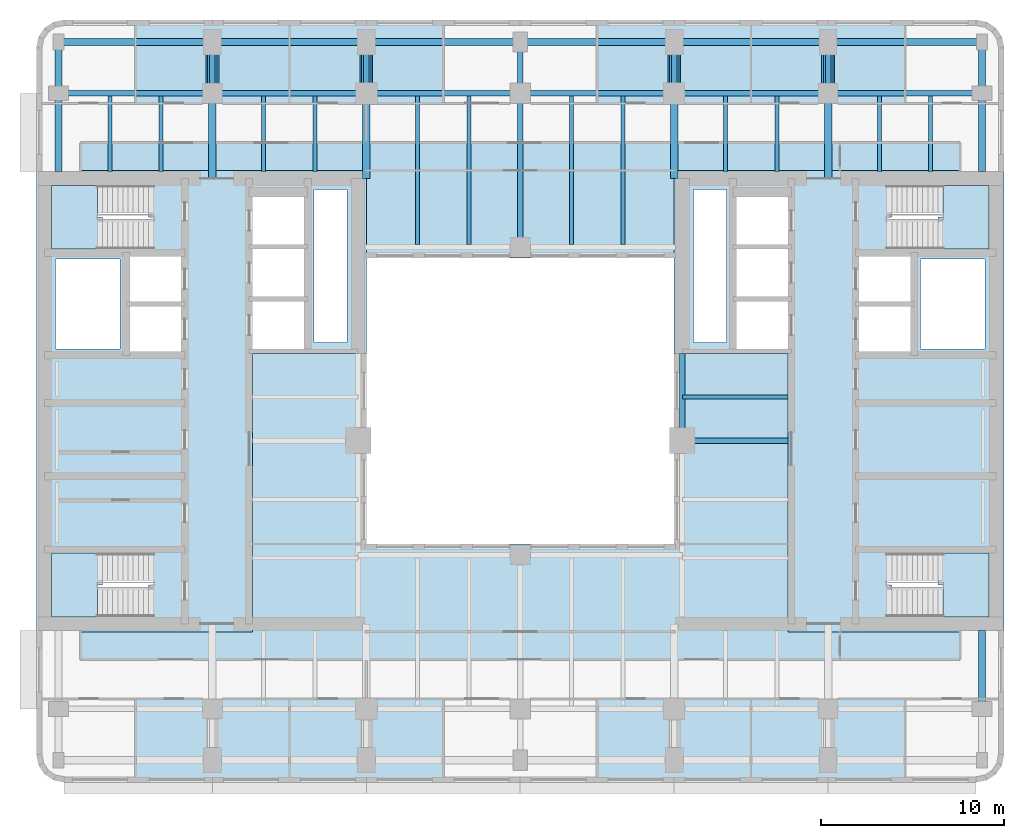
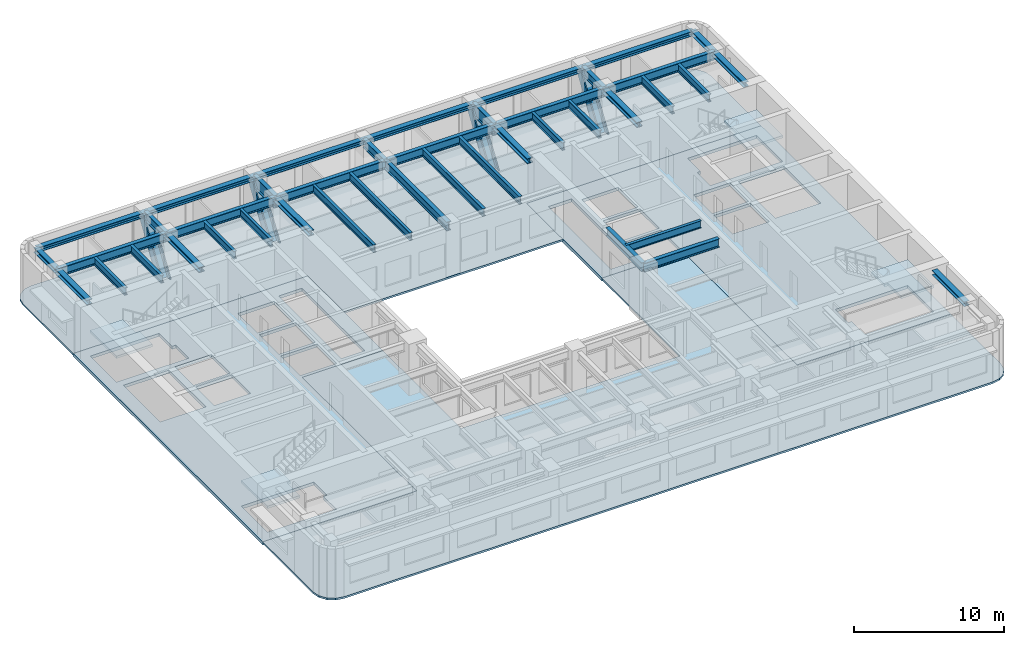
# One storey, part 2 of 11: 42 beams, 8 slabs, 4 members, 4 elements without a shape of their own.
"""IFC4 building model written with IfcOpenShell, lengths in metres."""

from ifc_helpers import new_model, si_unit, direction, frame, origin, origin_2d, place, context, subcontext, project, spatial, polyline, i_section, outline, extrude, material, layer, layer_set, material_profile, profile_set, type_object, element, aggregate, save


model = new_model("IFC4")

# Units and contexts
model_context = context("Model", 3, precision=1e-05, world=origin(), true_north=direction((0.0, 1.0)))
body_context = subcontext(model_context, "Body", "Model", "MODEL_VIEW")
ifc_project = project(units=[si_unit("LENGTHUNIT", "METRE"), si_unit("AREAUNIT", "SQUARE_METRE"), si_unit("VOLUMEUNIT", "CUBIC_METRE"), si_unit("PLANEANGLEUNIT", "RADIAN"), si_unit("MASSUNIT", "GRAM", prefix="KILO")], contexts=[model_context])

# Site, building, storey
site_placement = place(None, origin())
site = spatial("IfcSite", under=ifc_project, at=site_placement, CompositionType="ELEMENT")
building_placement = place(site_placement, origin())
building = spatial("IfcBuilding", under=site, at=building_placement, Name="Claustro Exchange Tower", CompositionType="ELEMENT")
storey_placement = place(building_placement, frame((0.0, 0.0, 240.60009765625)))
storey = spatial("IfcBuildingStorey", under=building, at=storey_placement, Name="L55", CompositionType="ELEMENT", Elevation=240.60009765625)

# Beams
ifc_material_1 = material(Name="Steel S355", Category="steel")
ifc_material_profile_1 = material_profile(ifc_material_1, i_section(OverallWidth=0.302001953125, OverallDepth=1.008056640625, WebThickness=0.02099609375, FlangeThickness=0.0400390625, FilletRadius=0.030029296875, at=origin_2d()), Name="HE 1000 M")
ifc_profile_set_1 = profile_set([ifc_material_profile_1], Name="Steel S355")
beam_type_1 = type_object("IfcBeamType", Name="B27 HE 1000 M plant floor girder by the setback", PredefinedType="BEAM", material=ifc_profile_set_1)
for number, where, z_axis, x_axis, name in (
    (1, (16.800048828125, 42.0, 3.495849609375), (0.0, 1.0, 0.0), (-1.0, 0.0, 0.0), "Beam B27 L56"),
    (2, (33.60009765625, 42.0, 3.495849609375), (0.0, 1.0, 0.0), (-1.0, 0.0, 0.0), "Beam B27 L56"),
):
    element("IfcBeam", number, at=place(storey_placement, frame(where, z_axis=z_axis, x_axis=x_axis)), inside=storey, type_object=beam_type_1, Name=name, PredefinedType="BEAM", context=body_context, shape_type="SweptSolid", body=[
        extrude(i_section(OverallWidth=0.302001953125, OverallDepth=1.008056640625, WebThickness=0.02099609375, FlangeThickness=0.0400390625, FilletRadius=0.030029296875, at=origin_2d()), origin(), (0.0, 0.0, 1.0), 2.800048828125),
    ])
ifc_material_2 = material(Name="Steel S355", Category="steel")
ifc_material_profile_2 = material_profile(ifc_material_2, i_section(OverallWidth=0.300048828125, OverallDepth=0.699951171875, WebThickness=0.01708984375, FlangeThickness=0.031982421875, FilletRadius=0.027099609375, at=origin_2d()), Name="HE 700 B")
ifc_profile_set_2 = profile_set([ifc_material_profile_2], Name="Steel S355")
beam_type_2 = type_object("IfcBeamType", Name="B4 HE 700 B floor girder", PredefinedType="BEAM", material=ifc_profile_set_2)
beam_1_placement = place(storey_placement, frame((8.39990234375, 42.0, 3.64990234375), z_axis=(0.0, 1.0, 0.0), x_axis=(-1.0, 0.0, 0.0)))
element("IfcBeam", 3, at=beam_1_placement, inside=storey, type_object=beam_type_2, Name="Beam B4 L56", PredefinedType="BEAM", context=body_context, shape_type="SweptSolid", body=[
    extrude(i_section(OverallWidth=0.300048828125, OverallDepth=0.699951171875, WebThickness=0.01708984375, FlangeThickness=0.031982421875, FilletRadius=0.027099609375, at=origin_2d()), origin(), (0.0, 0.0, 1.0), 2.800048828125),
])
beam_2_placement = place(storey_placement, frame((25.199951171875, 33.60009765625, 3.64990234375), z_axis=(0.0, 1.0, 0.0), x_axis=(-1.0, 0.0, 0.0)))
element("IfcBeam", 4, at=beam_2_placement, inside=storey, type_object=beam_type_2, Name="Beam B4 L56", PredefinedType="BEAM", context=body_context, shape_type="SweptSolid", body=[
    extrude(i_section(OverallWidth=0.300048828125, OverallDepth=0.699951171875, WebThickness=0.01708984375, FlangeThickness=0.031982421875, FilletRadius=0.027099609375, at=origin_2d()), origin(), (0.0, 0.0, 1.0), 8.39990234375),
])
for number, where, z_axis, x_axis, name in (
    (5, (25.199951171875, 42.0, 3.64990234375), (0.0, 1.0, 0.0), (-1.0, 0.0, 0.0), "Beam B4 L56"),
    (6, (42.0, 42.0, 3.64990234375), (0.0, 1.0, 0.0), (-1.0, 0.0, 0.0), "Beam B4 L56"),
):
    element("IfcBeam", number, at=place(storey_placement, frame(where, z_axis=z_axis, x_axis=x_axis)), inside=storey, type_object=beam_type_2, Name=name, PredefinedType="BEAM", context=body_context, shape_type="SweptSolid", body=[
        extrude(i_section(OverallWidth=0.300048828125, OverallDepth=0.699951171875, WebThickness=0.01708984375, FlangeThickness=0.031982421875, FilletRadius=0.027099609375, at=origin_2d()), origin(), (0.0, 0.0, 1.0), 2.800048828125),
    ])
beam_3_placement = place(storey_placement, frame((0.0, 42.0, 3.64990234375), z_axis=(1.0, 0.0, 0.0), x_axis=(0.0, 1.0, 0.0)))
element("IfcBeam", 7, at=beam_3_placement, inside=storey, type_object=beam_type_2, Name="Beam B4 L56", PredefinedType="BEAM", context=body_context, shape_type="SweptSolid", body=[
    extrude(i_section(OverallWidth=0.300048828125, OverallDepth=0.699951171875, WebThickness=0.01708984375, FlangeThickness=0.031982421875, FilletRadius=0.027099609375, at=origin_2d()), origin(), (0.0, 0.0, 1.0), 8.39990234375),
])
beam_4_placement = place(storey_placement, frame((8.39990234375, 42.0, 3.64990234375), z_axis=(1.0, 0.0, 0.0), x_axis=(0.0, 1.0, 0.0)))
element("IfcBeam", 8, at=beam_4_placement, inside=storey, type_object=beam_type_2, Name="Beam B4 L56", PredefinedType="BEAM", context=body_context, shape_type="SweptSolid", body=[
    extrude(i_section(OverallWidth=0.300048828125, OverallDepth=0.699951171875, WebThickness=0.01708984375, FlangeThickness=0.031982421875, FilletRadius=0.027099609375, at=origin_2d()), origin(), (0.0, 0.0, 1.0), 8.400146484375),
])
beam_5_placement = place(storey_placement, frame((16.800048828125, 42.0, 3.64990234375), z_axis=(1.0, 0.0, 0.0), x_axis=(0.0, 1.0, 0.0)))
element("IfcBeam", 9, at=beam_5_placement, inside=storey, type_object=beam_type_2, Name="Beam B4 L56", PredefinedType="BEAM", context=body_context, shape_type="SweptSolid", body=[
    extrude(i_section(OverallWidth=0.300048828125, OverallDepth=0.699951171875, WebThickness=0.01708984375, FlangeThickness=0.031982421875, FilletRadius=0.027099609375, at=origin_2d()), origin(), (0.0, 0.0, 1.0), 8.39990234375),
])
beam_6_placement = place(storey_placement, frame((25.199951171875, 42.0, 3.64990234375), z_axis=(1.0, 0.0, 0.0), x_axis=(0.0, 1.0, 0.0)))
element("IfcBeam", 10, at=beam_6_placement, inside=storey, type_object=beam_type_2, Name="Beam B4 L56", PredefinedType="BEAM", context=body_context, shape_type="SweptSolid", body=[
    extrude(i_section(OverallWidth=0.300048828125, OverallDepth=0.699951171875, WebThickness=0.01708984375, FlangeThickness=0.031982421875, FilletRadius=0.027099609375, at=origin_2d()), origin(), (0.0, 0.0, 1.0), 8.400146484375),
])
for number, where, z_axis, x_axis, name in (
    (11, (33.60009765625, 42.0, 3.64990234375), (1.0, 0.0, 0.0), (0.0, 1.0, 0.0), "Beam B4 L56"),
    (12, (42.0, 42.0, 3.64990234375), (1.0, 0.0, 0.0), (0.0, 1.0, 0.0), "Beam B4 L56"),
):
    element("IfcBeam", number, at=place(storey_placement, frame(where, z_axis=z_axis, x_axis=x_axis)), inside=storey, type_object=beam_type_2, Name=name, PredefinedType="BEAM", context=body_context, shape_type="SweptSolid", body=[
        extrude(i_section(OverallWidth=0.300048828125, OverallDepth=0.699951171875, WebThickness=0.01708984375, FlangeThickness=0.031982421875, FilletRadius=0.027099609375, at=origin_2d()), origin(), (0.0, 0.0, 1.0), 8.39990234375),
    ])
beam_7_placement = place(storey_placement, frame((34.050048828125, 23.050048828125, 3.64990234375), z_axis=(1.0, 0.0, 0.0), x_axis=(0.0, 1.0, 0.0)))
element("IfcBeam", 13, at=beam_7_placement, inside=storey, type_object=beam_type_2, Name="Beam B4 core step framing L56", PredefinedType="BEAM", context=body_context, shape_type="SweptSolid", body=[
    extrude(i_section(OverallWidth=0.300048828125, OverallDepth=0.699951171875, WebThickness=0.01708984375, FlangeThickness=0.031982421875, FilletRadius=0.027099609375, at=origin_2d()), origin(), (0.0, 0.0, 1.0), 5.75),
])
beam_8_placement = place(storey_placement, frame((34.050048828125, 23.050048828125, 3.64990234375), z_axis=(0.0, 1.0, 0.0), x_axis=(-1.0, 0.0, 0.0)))
element("IfcBeam", 14, at=beam_8_placement, inside=storey, type_object=beam_type_2, Name="Beam B4 core step framing L56", PredefinedType="BEAM", context=body_context, shape_type="SweptSolid", body=[
    extrude(i_section(OverallWidth=0.300048828125, OverallDepth=0.699951171875, WebThickness=0.01708984375, FlangeThickness=0.031982421875, FilletRadius=0.027099609375, at=origin_2d()), origin(), (0.0, 0.0, 1.0), 4.75),
])
ifc_material_3 = material(Name="Steel S355", Category="steel")
ifc_material_profile_3 = material_profile(ifc_material_3, i_section(OverallWidth=0.219970703125, OverallDepth=0.60009765625, WebThickness=0.011962890625, FlangeThickness=0.01904296875, FilletRadius=0.02392578125, at=origin_2d()), Name="IPE 600")
ifc_profile_set_3 = profile_set([ifc_material_profile_3], Name="Steel S355")
beam_type_3 = type_object("IfcBeamType", Name="B5 IPE 600 secondary beam", PredefinedType="BEAM", material=ifc_profile_set_3)
for number, where, z_axis, x_axis, name in (
    (15, (2.800048828125, 37.72509765625, 3.699951171875), (0.0, 1.0, 0.0), (-1.0, 0.0, 0.0), "Beam B5 L56"),
    (16, (5.60009765625, 37.72509765625, 3.699951171875), (0.0, 1.0, 0.0), (-1.0, 0.0, 0.0), "Beam B5 L56"),
    (17, (11.199951171875, 37.72509765625, 3.699951171875), (0.0, 1.0, 0.0), (-1.0, 0.0, 0.0), "Beam B5 L56"),
    (18, (14.0, 37.72509765625, 3.699951171875), (0.0, 1.0, 0.0), (-1.0, 0.0, 0.0), "Beam B5 L56"),
):
    element("IfcBeam", number, at=place(storey_placement, frame(where, z_axis=z_axis, x_axis=x_axis)), inside=storey, type_object=beam_type_3, Name=name, PredefinedType="BEAM", context=body_context, shape_type="SweptSolid", body=[
        extrude(i_section(OverallWidth=0.219970703125, OverallDepth=0.60009765625, WebThickness=0.011962890625, FlangeThickness=0.01904296875, FilletRadius=0.02392578125, at=origin_2d()), origin(), (0.0, 0.0, 1.0), 4.125),
    ])
for number, where, z_axis, x_axis, name in (
    (19, (19.60009765625, 33.75, 3.699951171875), (0.0, 1.0, 0.0), (-1.0, 0.0, 0.0), "Beam B5 L56"),
    (20, (22.39990234375, 33.75, 3.699951171875), (0.0, 1.0, 0.0), (-1.0, 0.0, 0.0), "Beam B5 L56"),
    (21, (28.0, 33.75, 3.699951171875), (0.0, 1.0, 0.0), (-1.0, 0.0, 0.0), "Beam B5 L56"),
    (22, (30.800048828125, 33.75, 3.699951171875), (0.0, 1.0, 0.0), (-1.0, 0.0, 0.0), "Beam B5 L56"),
):
    element("IfcBeam", number, at=place(storey_placement, frame(where, z_axis=z_axis, x_axis=x_axis)), inside=storey, type_object=beam_type_3, Name=name, PredefinedType="BEAM", context=body_context, shape_type="SweptSolid", body=[
        extrude(i_section(OverallWidth=0.219970703125, OverallDepth=0.60009765625, WebThickness=0.011962890625, FlangeThickness=0.01904296875, FilletRadius=0.02392578125, at=origin_2d()), origin(), (0.0, 0.0, 1.0), 8.10009765625),
    ])
for number, where, z_axis, x_axis, name in (
    (23, (36.39990234375, 37.72509765625, 3.699951171875), (0.0, 1.0, 0.0), (-1.0, 0.0, 0.0), "Beam B5 L56"),
    (24, (39.199951171875, 37.72509765625, 3.699951171875), (0.0, 1.0, 0.0), (-1.0, 0.0, 0.0), "Beam B5 L56"),
    (25, (44.800048828125, 37.72509765625, 3.699951171875), (0.0, 1.0, 0.0), (-1.0, 0.0, 0.0), "Beam B5 L56"),
    (26, (47.60009765625, 37.72509765625, 3.699951171875), (0.0, 1.0, 0.0), (-1.0, 0.0, 0.0), "Beam B5 L56"),
):
    element("IfcBeam", number, at=place(storey_placement, frame(where, z_axis=z_axis, x_axis=x_axis)), inside=storey, type_object=beam_type_3, Name=name, PredefinedType="BEAM", context=body_context, shape_type="SweptSolid", body=[
        extrude(i_section(OverallWidth=0.219970703125, OverallDepth=0.60009765625, WebThickness=0.011962890625, FlangeThickness=0.01904296875, FilletRadius=0.02392578125, at=origin_2d()), origin(), (0.0, 0.0, 1.0), 4.125),
    ])
beam_9_placement = place(storey_placement, frame((34.050048828125, 25.425048828125, 3.699951171875), z_axis=(1.0, 0.0, 0.0), x_axis=(0.0, 1.0, 0.0)))
element("IfcBeam", 27, at=beam_9_placement, inside=storey, type_object=beam_type_3, Name="Beam B5 core step framing L56", PredefinedType="BEAM", context=body_context, shape_type="SweptSolid", body=[
    extrude(i_section(OverallWidth=0.219970703125, OverallDepth=0.60009765625, WebThickness=0.011962890625, FlangeThickness=0.01904296875, FilletRadius=0.02392578125, at=origin_2d()), origin(), (0.0, 0.0, 1.0), 5.75),
])
ifc_material_4 = material(Name="Steel S460", Category="steel")
ifc_material_profile_4 = material_profile(ifc_material_4, i_section(OverallWidth=0.39501953125, OverallDepth=0.3798828125, WebThickness=0.018798828125, FlangeThickness=0.0302734375, FilletRadius=0.014892578125, at=origin_2d()), Name="HD 400x237")
ifc_profile_set_4 = profile_set([ifc_material_profile_4], Name="Steel S460")
beam_type_4 = type_object("IfcBeamType", Name="BT5 HD 400x237 belt truss chord", PredefinedType="BEAM", material=ifc_profile_set_4)
beam_10_placement = place(storey_placement, frame((0.0, 37.72509765625, 3.809814453125), z_axis=(0.0, 1.0, 0.0), x_axis=(-1.0, 0.0, 0.0)))
element("IfcBeam", 28, at=beam_10_placement, inside=storey, type_object=beam_type_4, Name="Beam BT5 L56", PredefinedType="BEAM", context=body_context, shape_type="SweptSolid", body=[
    extrude(i_section(OverallWidth=0.39501953125, OverallDepth=0.3798828125, WebThickness=0.018798828125, FlangeThickness=0.0302734375, FilletRadius=0.014892578125, at=origin_2d()), origin(), (0.0, 0.0, 1.0), 4.27490234375),
])
beam_11_placement = place(storey_placement, frame((0.0, 42.0, 3.809814453125), z_axis=(0.0, 1.0, 0.0), x_axis=(-1.0, 0.0, 0.0)))
element("IfcBeam", 29, at=beam_11_placement, inside=storey, type_object=beam_type_4, Name="Beam BT5 L56", PredefinedType="BEAM", context=body_context, shape_type="SweptSolid", body=[
    extrude(i_section(OverallWidth=0.39501953125, OverallDepth=0.3798828125, WebThickness=0.018798828125, FlangeThickness=0.0302734375, FilletRadius=0.014892578125, at=origin_2d()), origin(), (0.0, 0.0, 1.0), 2.800048828125),
])
beam_12_placement = place(storey_placement, frame((50.39990234375, 8.39990234375, 3.809814453125), z_axis=(0.0, 1.0, 0.0), x_axis=(-1.0, 0.0, 0.0)))
element("IfcBeam", 30, at=beam_12_placement, inside=storey, type_object=beam_type_4, Name="Beam BT5 L56", PredefinedType="BEAM", context=body_context, shape_type="SweptSolid", body=[
    extrude(i_section(OverallWidth=0.39501953125, OverallDepth=0.3798828125, WebThickness=0.018798828125, FlangeThickness=0.0302734375, FilletRadius=0.014892578125, at=origin_2d()), origin(), (0.0, 0.0, 1.0), 4.275146484375),
])
beam_13_placement = place(storey_placement, frame((50.39990234375, 37.72509765625, 3.809814453125), z_axis=(0.0, 1.0, 0.0), x_axis=(-1.0, 0.0, 0.0)))
element("IfcBeam", 31, at=beam_13_placement, inside=storey, type_object=beam_type_4, Name="Beam BT5 L56", PredefinedType="BEAM", context=body_context, shape_type="SweptSolid", body=[
    extrude(i_section(OverallWidth=0.39501953125, OverallDepth=0.3798828125, WebThickness=0.018798828125, FlangeThickness=0.0302734375, FilletRadius=0.014892578125, at=origin_2d()), origin(), (0.0, 0.0, 1.0), 4.27490234375),
])
beam_14_placement = place(storey_placement, frame((50.39990234375, 42.0, 3.809814453125), z_axis=(0.0, 1.0, 0.0), x_axis=(-1.0, 0.0, 0.0)))
element("IfcBeam", 32, at=beam_14_placement, inside=storey, type_object=beam_type_4, Name="Beam BT5 L56", PredefinedType="BEAM", context=body_context, shape_type="SweptSolid", body=[
    extrude(i_section(OverallWidth=0.39501953125, OverallDepth=0.3798828125, WebThickness=0.018798828125, FlangeThickness=0.0302734375, FilletRadius=0.014892578125, at=origin_2d()), origin(), (0.0, 0.0, 1.0), 2.800048828125),
])
beam_15_placement = place(storey_placement, frame((0.0, 44.800048828125, 3.809814453125), z_axis=(1.0, 0.0, 0.0), x_axis=(0.0, 1.0, 0.0)))
element("IfcBeam", 33, at=beam_15_placement, inside=storey, type_object=beam_type_4, Name="Beam BT5 L56", PredefinedType="BEAM", context=body_context, shape_type="SweptSolid", body=[
    extrude(i_section(OverallWidth=0.39501953125, OverallDepth=0.3798828125, WebThickness=0.018798828125, FlangeThickness=0.0302734375, FilletRadius=0.014892578125, at=origin_2d()), origin(), (0.0, 0.0, 1.0), 8.39990234375),
])
beam_16_placement = place(storey_placement, frame((8.39990234375, 44.800048828125, 3.809814453125), z_axis=(1.0, 0.0, 0.0), x_axis=(0.0, 1.0, 0.0)))
element("IfcBeam", 34, at=beam_16_placement, inside=storey, type_object=beam_type_4, Name="Beam BT5 L56", PredefinedType="BEAM", context=body_context, shape_type="SweptSolid", body=[
    extrude(i_section(OverallWidth=0.39501953125, OverallDepth=0.3798828125, WebThickness=0.018798828125, FlangeThickness=0.0302734375, FilletRadius=0.014892578125, at=origin_2d()), origin(), (0.0, 0.0, 1.0), 8.400146484375),
])
beam_17_placement = place(storey_placement, frame((16.800048828125, 44.800048828125, 3.809814453125), z_axis=(1.0, 0.0, 0.0), x_axis=(0.0, 1.0, 0.0)))
element("IfcBeam", 35, at=beam_17_placement, inside=storey, type_object=beam_type_4, Name="Beam BT5 L56", PredefinedType="BEAM", context=body_context, shape_type="SweptSolid", body=[
    extrude(i_section(OverallWidth=0.39501953125, OverallDepth=0.3798828125, WebThickness=0.018798828125, FlangeThickness=0.0302734375, FilletRadius=0.014892578125, at=origin_2d()), origin(), (0.0, 0.0, 1.0), 8.39990234375),
])
beam_18_placement = place(storey_placement, frame((25.199951171875, 44.800048828125, 3.809814453125), z_axis=(1.0, 0.0, 0.0), x_axis=(0.0, 1.0, 0.0)))
element("IfcBeam", 36, at=beam_18_placement, inside=storey, type_object=beam_type_4, Name="Beam BT5 L56", PredefinedType="BEAM", context=body_context, shape_type="SweptSolid", body=[
    extrude(i_section(OverallWidth=0.39501953125, OverallDepth=0.3798828125, WebThickness=0.018798828125, FlangeThickness=0.0302734375, FilletRadius=0.014892578125, at=origin_2d()), origin(), (0.0, 0.0, 1.0), 8.400146484375),
])
for number, where, z_axis, x_axis, name in (
    (37, (33.60009765625, 44.800048828125, 3.809814453125), (1.0, 0.0, 0.0), (0.0, 1.0, 0.0), "Beam BT5 L56"),
    (38, (42.0, 44.800048828125, 3.809814453125), (1.0, 0.0, 0.0), (0.0, 1.0, 0.0), "Beam BT5 L56"),
):
    element("IfcBeam", number, at=place(storey_placement, frame(where, z_axis=z_axis, x_axis=x_axis)), inside=storey, type_object=beam_type_4, Name=name, PredefinedType="BEAM", context=body_context, shape_type="SweptSolid", body=[
        extrude(i_section(OverallWidth=0.39501953125, OverallDepth=0.3798828125, WebThickness=0.018798828125, FlangeThickness=0.0302734375, FilletRadius=0.014892578125, at=origin_2d()), origin(), (0.0, 0.0, 1.0), 8.39990234375),
    ])
ifc_material_5 = material(Name="Steel S460", Category="steel")
ifc_material_profile_5 = material_profile(ifc_material_5, i_section(OverallWidth=0.404052734375, OverallDepth=0.406982421875, WebThickness=0.027099609375, FlangeThickness=0.043701171875, FilletRadius=0.014892578125, at=origin_2d()), Name="HD 400x347")
ifc_profile_set_5 = profile_set([ifc_material_profile_5], Name="Steel S460")
beam_type_5 = type_object("IfcBeamType", Name="OT5 HD 400x347 OUTRIGGER truss chord", PredefinedType="BEAM", material=ifc_profile_set_5)
for number, where, z_axis, x_axis, name in (
    (39, (8.39990234375, 37.35009765625, 3.746337890625), (0.0, 1.0, 0.0), (-1.0, 0.0, 0.0), "Beam OT5 L56"),
    (40, (16.800048828125, 37.35009765625, 3.746337890625), (0.0, 1.0, 0.0), (-1.0, 0.0, 0.0), "Beam OT5 L56"),
    (41, (33.60009765625, 37.35009765625, 3.746337890625), (0.0, 1.0, 0.0), (-1.0, 0.0, 0.0), "Beam OT5 L56"),
    (42, (42.0, 37.35009765625, 3.746337890625), (0.0, 1.0, 0.0), (-1.0, 0.0, 0.0), "Beam OT5 L56"),
):
    element("IfcBeam", number, at=place(storey_placement, frame(where, z_axis=z_axis, x_axis=x_axis)), inside=storey, type_object=beam_type_5, Name=name, PredefinedType="BEAM", context=body_context, shape_type="SweptSolid", body=[
        extrude(i_section(OverallWidth=0.404052734375, OverallDepth=0.406982421875, WebThickness=0.027099609375, FlangeThickness=0.043701171875, FilletRadius=0.014892578125, at=origin_2d()), origin(), (0.0, 0.0, 1.0), 4.64990234375),
    ])

# Members
ifc_material_6 = material(Name="Steel S460", Category="steel")
ifc_material_profile_6 = material_profile(ifc_material_6, i_section(OverallWidth=0.64990234375, OverallDepth=0.699951171875, WebThickness=0.050048828125, FlangeThickness=0.090087890625, at=origin_2d()), Name="PG 700x650")
ifc_profile_set_6 = profile_set([ifc_material_profile_6], Name="Steel S460")
member_type = type_object("IfcMemberType", Name="OT7 PG 700x650 OUTRIGGER extension diagonal", PredefinedType="BRACE", material=ifc_profile_set_6)
member_1_placement = place(storey_placement, frame((8.39990234375, 42.0, -0.60009765625), z_axis=(0.0, 0.550164383043, 0.835056376319), x_axis=(0.0, -0.835056376319, 0.550164383043)))
element("IfcMember", 43, at=member_1_placement, inside=storey, type_object=member_type, Name="Outrigger extension diagonal OT7 L55", PredefinedType="BRACE", context=body_context, shape_type="SweptSolid", body=[
    extrude(i_section(OverallWidth=0.64990234375, OverallDepth=0.699951171875, WebThickness=0.050048828125, FlangeThickness=0.090087890625, at=origin_2d()), origin(), (0.0, 0.0, 1.0), 5.08935546875),
])
for number, where, z_axis, x_axis, name in (
    (44, (16.800048828125, 42.0, -0.60009765625), (0.0, 0.564348708154, 0.825536513793), (0.0, -0.825536513793, 0.564348708154), "Outrigger extension diagonal OT7 L55"),
    (45, (33.60009765625, 42.0, -0.60009765625), (0.0, 0.564348708154, 0.825536513793), (0.0, -0.825536513793, 0.564348708154), "Outrigger extension diagonal OT7 L55"),
):
    element("IfcMember", number, at=place(storey_placement, frame(where, z_axis=z_axis, x_axis=x_axis)), inside=storey, type_object=member_type, Name=name, PredefinedType="BRACE", context=body_context, shape_type="SweptSolid", body=[
        extrude(i_section(OverallWidth=0.64990234375, OverallDepth=0.699951171875, WebThickness=0.050048828125, FlangeThickness=0.090087890625, at=origin_2d()), origin(), (0.0, 0.0, 1.0), 4.961669921875),
    ])
member_2_placement = place(storey_placement, frame((42.0, 42.0, -0.60009765625), z_axis=(0.0, 0.550164383043, 0.835056376319), x_axis=(0.0, -0.835056376319, 0.550164383043)))
element("IfcMember", 46, at=member_2_placement, inside=storey, type_object=member_type, Name="Outrigger extension diagonal OT7 L55", PredefinedType="BRACE", context=body_context, shape_type="SweptSolid", body=[
    extrude(i_section(OverallWidth=0.64990234375, OverallDepth=0.699951171875, WebThickness=0.050048828125, FlangeThickness=0.090087890625, at=origin_2d()), origin(), (0.0, 0.0, 1.0), 5.08935546875),
])

# Slabs
ifc_material_7 = material(Name="Concrete HA-50 (C50/60)", Category="concrete")
ifc_layer_1 = layer(ifc_material_7, 0.14990234375)
ifc_layer_set_1 = layer_set([ifc_layer_1], Name="Concrete HA-50 (C50/60)")
slab_type_1 = type_object("IfcSlabType", Name="S2 150 composite floor slab", PredefinedType="FLOOR", material=ifc_layer_set_1)
slab_1_placement = place(storey_placement, frame((0.0, 0.0, -0.150146484375)))
element("IfcSlab", 47, at=slab_1_placement, inside=storey, type_object=slab_type_1, Name="Floor slab S2 S L55", PredefinedType="FLOOR", context=body_context, shape_type="SweptSolid", body=[
    extrude(outline(polyline([(-0.27392578125, 4.51416015625), (0.300048828125, 4.39990234375), (50.10009765625, 4.39990234375), (50.674072265625, 4.51416015625), (51.16064453125, 4.83935546875), (51.48583984375, 5.325927734375), (51.60009765625, 5.89990234375), (51.60009765625, 12.60009765625), (39.800048828125, 12.60009765625), (39.800048828125, 27.800048828125), (33.60009765625, 27.800048828125), (33.60009765625, 17.39990234375), (16.800048828125, 17.39990234375), (16.800048828125, 27.800048828125), (10.60009765625, 27.800048828125), (10.60009765625, 12.60009765625), (-1.199951171875, 12.60009765625), (-1.199951171875, 5.89990234375), (-1.085693359375, 5.325927734375), (-0.7607421875, 4.83935546875), (-0.27392578125, 4.51416015625)])), origin(), (0.0, 0.0, 1.0), 0.150146484375),
])
slab_2_placement = place(storey_placement, frame((0.0, 0.0, -0.150146484375)))
element("IfcSlab", 48, at=slab_2_placement, inside=storey, type_object=slab_type_1, Name="Floor slab S2 N L55", PredefinedType="FLOOR", context=body_context, shape_type="SweptSolid", body=[
    extrude(outline(polyline([(16.800048828125, 37.800048828125), (16.800048828125, 33.0), (33.60009765625, 33.0), (33.60009765625, 37.800048828125), (51.60009765625, 37.800048828125), (51.60009765625, 44.5), (51.48583984375, 45.073974609375), (51.16064453125, 45.560791015625), (50.674072265625, 45.8857421875), (50.10009765625, 46.0), (0.300048828125, 46.0), (-0.27392578125, 45.8857421875), (-0.7607421875, 45.560791015625), (-1.085693359375, 45.073974609375), (-1.199951171875, 44.5), (-1.199951171875, 37.800048828125), (16.800048828125, 37.800048828125)])), origin(), (0.0, 0.0, 1.0), 0.150146484375),
])
ifc_material_8 = material(Name="Concrete HA-50 (C50/60)", Category="concrete")
ifc_layer_2 = layer(ifc_material_8, 0.25)
ifc_layer_set_2 = layer_set([ifc_layer_2], Name="Concrete HA-50 (C50/60)")
slab_type_2 = type_object("IfcSlabType", Name="S7 250 core floor slab", PredefinedType="FLOOR", material=ifc_layer_set_2)
slab_3_placement = place(storey_placement, frame((0.0, 0.0, -0.25)))
element("IfcSlab", 49, at=slab_3_placement, inside=storey, type_object=slab_type_2, Name="Core floor slab S7 W core L55", PredefinedType="FLOOR", context=body_context, shape_type="SweptSolid", body=[
    extrude(outline(polyline([(-1.199951171875, 37.800048828125), (-1.199951171875, 12.60009765625), (10.60009765625, 12.60009765625), (10.60009765625, 27.800048828125), (16.800048828125, 27.800048828125), (16.800048828125, 37.800048828125), (-1.199951171875, 37.800048828125)]), holes=[polyline([(13.949951171875, 36.75), (15.75, 36.75), (15.75, 28.39990234375), (13.949951171875, 28.39990234375), (13.949951171875, 36.75)]), polyline([(10.60009765625, 30.64990234375), (13.39990234375, 30.64990234375), (13.39990234375, 28.050048828125), (10.60009765625, 28.050048828125), (10.60009765625, 30.64990234375)]), polyline([(10.60009765625, 33.5), (13.39990234375, 33.5), (13.39990234375, 30.89990234375), (10.60009765625, 30.89990234375), (10.60009765625, 33.5)]), polyline([(13.39990234375, 36.35009765625), (13.39990234375, 33.75), (10.60009765625, 33.75), (10.60009765625, 36.35009765625), (13.39990234375, 36.35009765625)]), polyline([(3.89990234375, 30.375), (6.699951171875, 30.375), (6.699951171875, 27.89990234375), (3.89990234375, 27.89990234375), (3.89990234375, 30.375)]), polyline([(3.89990234375, 33.10009765625), (6.699951171875, 33.10009765625), (6.699951171875, 30.625), (3.89990234375, 30.625), (3.89990234375, 33.10009765625)]), polyline([(-0.375, 15.16259765625), (-0.375, 16.89990234375), (5.195068359375, 16.89990234375), (5.195068359375, 15.16259765625), (4.919921875, 15.16259765625), (4.919921875, 13.425048828125), (-0.375, 13.425048828125), (-0.375, 15.16259765625)]), polyline([(-0.375, 35.237548828125), (-0.375, 36.97509765625), (4.919921875, 36.97509765625), (4.919921875, 35.237548828125), (5.195068359375, 35.237548828125), (5.195068359375, 33.5), (-0.375, 33.5), (-0.375, 35.237548828125)]), polyline([(-0.14990234375, 32.949951171875), (3.35009765625, 32.949951171875), (3.35009765625, 28.050048828125), (-0.14990234375, 28.050048828125), (-0.14990234375, 32.949951171875)])]), origin(), (0.0, 0.0, 1.0), 0.25),
])
slab_4_placement = place(storey_placement, frame((0.0, 0.0, -0.25)))
element("IfcSlab", 50, at=slab_4_placement, inside=storey, type_object=slab_type_2, Name="Core floor slab S7 E core L55", PredefinedType="FLOOR", context=body_context, shape_type="SweptSolid", body=[
    extrude(outline(polyline([(51.60009765625, 37.800048828125), (33.60009765625, 37.800048828125), (33.60009765625, 27.800048828125), (39.800048828125, 27.800048828125), (39.800048828125, 12.60009765625), (51.60009765625, 12.60009765625), (51.60009765625, 37.800048828125)]), holes=[polyline([(45.47998046875, 15.16259765625), (45.205078125, 15.16259765625), (45.205078125, 16.89990234375), (50.77490234375, 16.89990234375), (50.77490234375, 15.16259765625), (50.77490234375, 13.425048828125), (45.47998046875, 13.425048828125), (45.47998046875, 15.16259765625)]), polyline([(45.47998046875, 35.237548828125), (45.47998046875, 36.97509765625), (50.77490234375, 36.97509765625), (50.77490234375, 35.237548828125), (50.77490234375, 33.5), (45.205078125, 33.5), (45.205078125, 35.237548828125), (45.47998046875, 35.237548828125)]), polyline([(47.050048828125, 32.949951171875), (50.550048828125, 32.949951171875), (50.550048828125, 28.050048828125), (47.050048828125, 28.050048828125), (47.050048828125, 32.949951171875)]), polyline([(43.699951171875, 30.375), (46.5, 30.375), (46.5, 27.89990234375), (43.699951171875, 27.89990234375), (43.699951171875, 30.375)]), polyline([(43.699951171875, 33.10009765625), (46.5, 33.10009765625), (46.5, 30.625), (43.699951171875, 30.625), (43.699951171875, 33.10009765625)]), polyline([(37.0, 30.64990234375), (39.800048828125, 30.64990234375), (39.800048828125, 28.050048828125), (37.0, 28.050048828125), (37.0, 30.64990234375)]), polyline([(37.0, 33.5), (39.800048828125, 33.5), (39.800048828125, 30.89990234375), (37.0, 30.89990234375), (37.0, 33.5)]), polyline([(39.800048828125, 36.35009765625), (39.800048828125, 33.75), (37.0, 33.75), (37.0, 36.35009765625), (39.800048828125, 36.35009765625)]), polyline([(34.64990234375, 36.75), (36.449951171875, 36.75), (36.449951171875, 28.39990234375), (34.64990234375, 28.39990234375), (34.64990234375, 36.75)])]), origin(), (0.0, 0.0, 1.0), 0.25),
])

# Stair, slab
ifc_material_9 = material(Name="Concrete HA-30 (C30/37), precast", Category="concrete")
stair_type = type_object("IfcStairType", Name="ST1 half-turn stair, 24 risers of 175", PredefinedType="HALF_TURN_STAIR", material=ifc_material_9)
stair_1_placement = place(storey_placement, origin())
stair_1 = element("IfcStair", 51, at=stair_1_placement, inside=storey, type_object=stair_type, Name="Stair STWA L55", PredefinedType="HALF_TURN_STAIR")
ifc_material_10 = material(Name="Concrete HA-30 (C30/37), precast", Category="concrete")
ifc_layer_3 = layer(ifc_material_10, 0.199951171875)
ifc_layer_set_3 = layer_set([ifc_layer_3], Name="Concrete HA-30 (C30/37), precast")
slab_type_3 = type_object("IfcSlabType", Name="S9 200 stair landing", PredefinedType="LANDING", material=ifc_layer_set_3)
slab_5_placement = place(storey_placement, frame((0.0, 0.0, 1.89990234375)))
slab_5 = element("IfcSlab", 52, at=slab_5_placement, type_object=slab_type_3, Name="STWA landing 1", PredefinedType="LANDING", context=body_context, shape_type="SweptSolid", body=[
    extrude(outline(polyline([(2.125, 13.425048828125), (-0.375, 13.425048828125), (-0.375, 16.89990234375), (2.1201171875, 16.89990234375), (2.125, 16.89990234375), (2.39990234375, 16.89990234375), (2.39990234375, 15.16259765625), (2.125, 15.16259765625), (2.125, 13.425048828125)])), origin(), (0.0, 0.0, 1.0), 0.199951171875),
])
aggregate(stair_1, [slab_5])

stair_2_placement = place(storey_placement, origin())
stair_2 = element("IfcStair", 53, at=stair_2_placement, inside=storey, type_object=stair_type, Name="Stair STWB L55", PredefinedType="HALF_TURN_STAIR")
slab_6_placement = place(storey_placement, frame((0.0, 0.0, 1.89990234375)))
slab_6 = element("IfcSlab", 54, at=slab_6_placement, type_object=slab_type_3, Name="STWB landing 1", PredefinedType="LANDING", context=body_context, shape_type="SweptSolid", body=[
    extrude(outline(polyline([(2.39990234375, 35.237548828125), (2.39990234375, 33.5), (2.125, 33.5), (2.1201171875, 33.5), (-0.375, 33.5), (-0.375, 36.97509765625), (2.125, 36.97509765625), (2.125, 35.237548828125), (2.39990234375, 35.237548828125)])), origin(), (0.0, 0.0, 1.0), 0.199951171875),
])
aggregate(stair_2, [slab_6])

stair_3_placement = place(storey_placement, origin())
stair_3 = element("IfcStair", 55, at=stair_3_placement, inside=storey, type_object=stair_type, Name="Stair STEA L55", PredefinedType="HALF_TURN_STAIR")
slab_7_placement = place(storey_placement, frame((0.0, 0.0, 1.89990234375)))
slab_7 = element("IfcSlab", 56, at=slab_7_placement, type_object=slab_type_3, Name="STEA landing 1", PredefinedType="LANDING", context=body_context, shape_type="SweptSolid", body=[
    extrude(outline(polyline([(50.77490234375, 16.89990234375), (50.77490234375, 13.425048828125), (48.27490234375, 13.425048828125), (48.27490234375, 15.16259765625), (48.0, 15.16259765625), (48.0, 16.89990234375), (48.27490234375, 16.89990234375), (48.280029296875, 16.89990234375), (50.77490234375, 16.89990234375)])), origin(), (0.0, 0.0, 1.0), 0.199951171875),
])
aggregate(stair_3, [slab_7])

stair_4_placement = place(storey_placement, origin())
stair_4 = element("IfcStair", 57, at=stair_4_placement, inside=storey, type_object=stair_type, Name="Stair STEB L55", PredefinedType="HALF_TURN_STAIR")
slab_8_placement = place(storey_placement, frame((0.0, 0.0, 1.89990234375)))
slab_8 = element("IfcSlab", 58, at=slab_8_placement, type_object=slab_type_3, Name="STEB landing 1", PredefinedType="LANDING", context=body_context, shape_type="SweptSolid", body=[
    extrude(outline(polyline([(48.0, 33.5), (48.0, 35.237548828125), (48.27490234375, 35.237548828125), (48.27490234375, 36.97509765625), (50.77490234375, 36.97509765625), (50.77490234375, 33.5), (48.280029296875, 33.5), (48.27490234375, 33.5), (48.0, 33.5)])), origin(), (0.0, 0.0, 1.0), 0.199951171875),
])
aggregate(stair_4, [slab_8])

save(model, "model.ifc")
